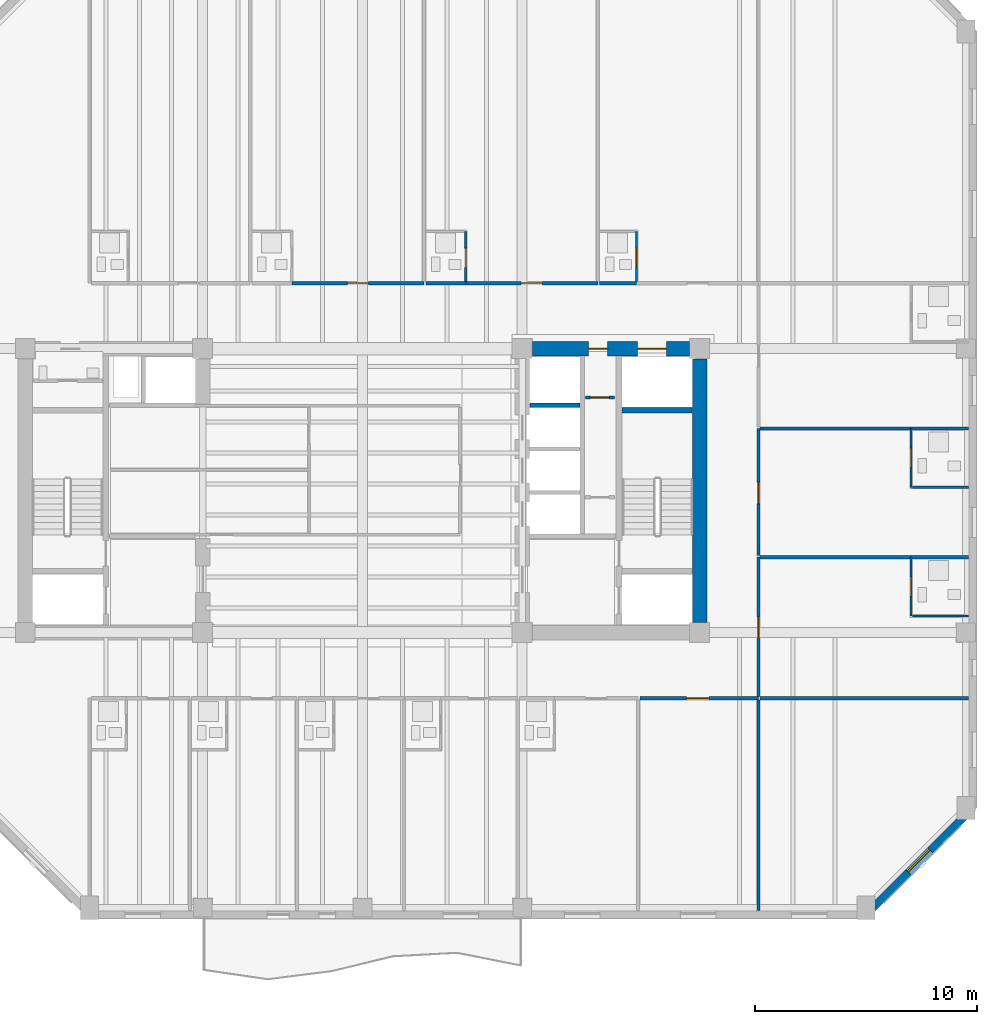
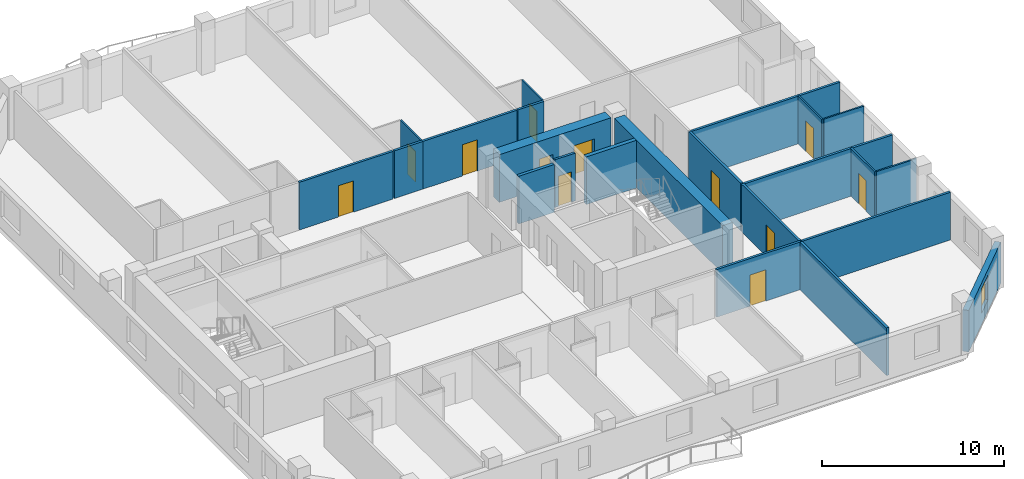
# One storey, part 5 of 11: 23 walls, 12 doors, 1 window, 13 openings.
"""IFC4 building model written with IfcOpenShell, lengths in metres."""

from ifc_helpers import new_model, si_unit, direction, frame, frame_2d, origin, place, context, subcontext, project, spatial, rectangle, extrude, material, layer, layer_set, type_object, element, fill, save


model = new_model("IFC4")

# Units and contexts
model_context = context("Model", 3, precision=1e-05, world=origin(), true_north=direction((0.0, 1.0)))
body_context = subcontext(model_context, "Body", "Model", "MODEL_VIEW")
ifc_project = project(units=[si_unit("LENGTHUNIT", "METRE"), si_unit("AREAUNIT", "SQUARE_METRE"), si_unit("VOLUMEUNIT", "CUBIC_METRE"), si_unit("PLANEANGLEUNIT", "RADIAN"), si_unit("MASSUNIT", "GRAM", prefix="KILO")], contexts=[model_context])

# Site, building, storey
site_placement = place(None, origin())
site = spatial("IfcSite", under=ifc_project, at=site_placement, CompositionType="ELEMENT")
building_placement = place(site_placement, origin())
building = spatial("IfcBuilding", under=site, at=building_placement, Name="Kranthara Brick Stack", CompositionType="ELEMENT")
storey_placement = place(building_placement, frame((0.0, 0.0, 176.300048828125)))
storey = spatial("IfcBuildingStorey", under=building, at=storey_placement, Name="L45", CompositionType="ELEMENT", Elevation=176.300048828125)

# Wall, opening, window
ifc_material_1 = material(Name="Kiln-fired clay brick masonry M15", Category="masonry")
ifc_layer_1 = layer(ifc_material_1, 0.35009765625)
ifc_layer_set_1 = layer_set([ifc_layer_1], Name="Kiln-fired clay brick masonry M15")
wall_type_1 = type_object("IfcWallType", Name="WL-BRK-SPND-350", PredefinedType="STANDARD", material=ifc_layer_set_1)
wall_1_placement = place(storey_placement, frame((55.5048828125, 12.89990234375, 0.0), z_axis=(0.0, 0.0, 1.0), x_axis=(-0.707106781187, -0.707106781187, 0.0)))
wall_1 = element("IfcWall", 1, at=wall_1_placement, inside=storey, type_object=wall_type_1, Name="L45 Exterior Brick Facade Wall SE 1", PredefinedType="STANDARD", context=body_context, shape_type="SweptSolid", body=[
    extrude(rectangle(XDim=6.795166015625, YDim=0.35009765625, at=frame_2d((3.3974609375, 0.0))), origin(), (0.0, 0.0, 1.0), 2.784912109375),
])
opening_1_placement = place(wall_1_placement, frame((2.697998046875, 0.0, 0.75)))
opening_1 = element("IfcOpeningElement", 2, at=opening_1_placement, cuts=wall_1, Name="Opening WN10", PredefinedType="OPENING", context=body_context, shape_type="SweptSolid", body=[
    extrude(rectangle(XDim=1.39990234375, YDim=1.64990234375, at=frame_2d((0.699951171875, 0.824951171875))), frame((0.0, 0.18505859375, 0.0), z_axis=(0.0, -1.0, 0.0), x_axis=(1.0, 0.0, 0.0)), (0.0, 0.0, 1.0), 0.3701171875),
])
ifc_material_2 = material(Name="Double-glazed low-E solar control glass", Category="glass")
window_type = type_object("IfcWindowType", Name="WN-CHM-1400x1750", PartitioningType="SINGLE_PANEL", PredefinedType="WINDOW", material=ifc_material_2)
window_placement = place(opening_1_placement, origin())
window = element("IfcWindow", 3, at=window_placement, inside=storey, type_object=window_type, Name="L45 SE Chamfer Corner Window", OverallHeight=1.64990234375, OverallWidth=1.39990234375, PartitioningType="SINGLE_PANEL", PredefinedType="WINDOW", context=body_context, shape_type="SweptSolid", body=[
    extrude(rectangle(XDim=1.39990234375, YDim=1.64990234375, at=frame_2d((0.699951171875, 0.824951171875))), frame((0.0, -0.010009765625, 0.0), z_axis=(0.0, -1.0, 0.0), x_axis=(1.0, 0.0, 0.0)), (0.0, 0.0, 1.0), 0.06005859375),
])
fill(opening_1, window)

# Walls
ifc_material_3 = material(Name="Concrete C50/60", Category="concrete")
ifc_layer_2 = layer(ifc_material_3, 0.25)
ifc_layer_set_2 = layer_set([ifc_layer_2], Name="Concrete C50/60")
wall_type_2 = type_object("IfcWallType", Name="WL-CORE-250", PredefinedType="SHEAR", material=ifc_layer_set_2)
wall_2_placement = place(storey_placement, frame((39.68994140625, 30.830078125, 0.0), z_axis=(0.0, 0.0, 1.0), x_axis=(1.0, 0.0, 0.0)))
element("IfcWall", 4, at=wall_2_placement, inside=storey, type_object=wall_type_2, Name="L45 East Stairwell Bearing Wall EST", PredefinedType="SHEAR", context=body_context, shape_type="SweptSolid", body=[
    extrude(rectangle(XDim=3.175048828125, YDim=0.25, at=frame_2d((1.58740234375, 0.0))), origin(), (0.0, 0.0, 1.0), 3.199951171875),
])
ifc_material_4 = material(Name="Concrete C60/75", Category="concrete")
ifc_layer_3 = layer(ifc_material_4, 0.64990234375)
ifc_layer_set_3 = layer_set([ifc_layer_3], Name="Concrete C60/75")
wall_type_3 = type_object("IfcWallType", Name="WL-CORE-650", PredefinedType="SHEAR", material=ifc_layer_set_3)
wall_3_placement = place(storey_placement, frame((43.199951171875, 21.2548828125, 0.0), z_axis=(0.0, 0.0, 1.0), x_axis=(0.0, 1.0, 0.0)))
element("IfcWall", 5, at=wall_3_placement, inside=storey, type_object=wall_type_3, Name="L45 East Core Shear Wall East", PredefinedType="SHEAR", context=body_context, shape_type="SweptSolid", body=[
    extrude(rectangle(XDim=11.89013671875, YDim=0.64990234375, at=frame_2d((5.945068359375, 0.0))), origin(), (0.0, 0.0, 1.0), 3.199951171875),
])

# Wall, openings, doors
wall_4_placement = place(storey_placement, frame((35.655029296875, 33.60009765625, 0.0), z_axis=(0.0, 0.0, 1.0), x_axis=(1.0, 0.0, 0.0)))
wall_4 = element("IfcWall", 6, at=wall_4_placement, inside=storey, type_object=wall_type_3, Name="L45 East Core Shear Wall North", PredefinedType="SHEAR", context=body_context, shape_type="SweptSolid", body=[
    extrude(rectangle(XDim=7.090087890625, YDim=0.64990234375, at=frame_2d((3.544921875, 0.0))), origin(), (0.0, 0.0, 1.0), 3.199951171875),
])
opening_2_placement = place(wall_4_placement, frame((4.7451171875, 0.0, 0.0)))
opening_2 = element("IfcOpeningElement", 7, at=opening_2_placement, cuts=wall_4, Name="Opening LD03", PredefinedType="OPENING", context=body_context, shape_type="SweptSolid", body=[
    extrude(rectangle(XDim=1.300048828125, YDim=2.14990234375, at=frame_2d((0.64990234375, 1.074951171875))), frame((0.0, 0.3349609375, 0.0), z_axis=(0.0, -1.0, 0.0), x_axis=(1.0, 0.0, 0.0)), (0.0, 0.0, 1.0), 0.669921875),
])
opening_3_placement = place(wall_4_placement, frame((2.544921875, 0.0, 0.0)))
opening_3 = element("IfcOpeningElement", 8, at=opening_3_placement, cuts=wall_4, Name="Opening D10", PredefinedType="OPENING", context=body_context, shape_type="SweptSolid", body=[
    extrude(rectangle(XDim=0.85009765625, YDim=2.02001953125, at=frame_2d((0.425048828125, 1.010009765625))), frame((0.0, 0.3349609375, 0.0), z_axis=(0.0, -1.0, 0.0), x_axis=(1.0, 0.0, 0.0)), (0.0, 0.0, 1.0), 0.669921875),
])
ifc_material_5 = material(Name="Stainless steel sliding landing door", Category="steel")
door_type_1 = type_object("IfcDoorType", Name="DR-LD-SV1300", OperationType="DOUBLE_DOOR_SLIDING", PredefinedType="DOOR", material=ifc_material_5)
door_1_placement = place(opening_2_placement, origin())
door_1 = element("IfcDoor", 9, at=door_1_placement, inside=storey, type_object=door_type_1, Name="L45 Stretcher Service Lift SV-01 Landing Door", OperationType="DOUBLE_DOOR_SLIDING", OverallHeight=2.14990234375, OverallWidth=1.300048828125, PredefinedType="DOOR", context=body_context, shape_type="SweptSolid", body=[
    extrude(rectangle(XDim=1.300048828125, YDim=2.14990234375, at=frame_2d((0.64990234375, 1.074951171875))), frame((0.0, 0.02490234375, 0.0), z_axis=(0.0, -1.0, 0.0), x_axis=(1.0, 0.0, 0.0)), (0.0, 0.0, 1.0), 0.050048828125),
])
fill(opening_2, door_1)
ifc_material_6 = material(Name="Solid-core hardwood timber leaf in steel frame", Category="steel")
door_type_2 = type_object("IfcDoorType", Name="DR-RSR-850", OperationType="NOTDEFINED", PredefinedType="DOOR", material=ifc_material_6)
door_2_placement = place(opening_3_placement, origin())
door_2 = element("IfcDoor", 10, at=door_2_placement, inside=storey, type_object=door_type_2, Name="L45 East Core Service Room Door", OperationType="SINGLE_SWING_LEFT", OverallHeight=2.02001953125, OverallWidth=0.85009765625, PredefinedType="DOOR", context=body_context, shape_type="SweptSolid", body=[
    extrude(rectangle(XDim=0.85009765625, YDim=2.02001953125, at=frame_2d((0.425048828125, 1.010009765625))), frame((0.0, 0.02490234375, 0.0), z_axis=(0.0, -1.0, 0.0), x_axis=(1.0, 0.0, 0.0)), (0.0, 0.0, 1.0), 0.050048828125),
])
fill(opening_3, door_2)

# Wall, opening, door
ifc_material_7 = material(Name="Moisture-resistant wet-room partition", Category="other")
ifc_layer_4 = layer(ifc_material_7, 0.10009765625)
ifc_layer_set_4 = layer_set([ifc_layer_4], Name="Moisture-resistant wet-room partition")
wall_type_4 = type_object("IfcWallType", Name="WL-PART-100", PredefinedType="PARTITIONING", material=ifc_layer_set_4)
wall_5_placement = place(storey_placement, frame((32.656494140625, 36.6298828125, 0.0), z_axis=(0.0, 0.0, 1.0), x_axis=(0.0, 1.0, 0.0)))
wall_5 = element("IfcWall", 11, at=wall_5_placement, inside=storey, type_object=wall_type_4, Name="L45 Interior Partition 050", PredefinedType="PARTITIONING", context=body_context, shape_type="SweptSolid", body=[
    extrude(rectangle(XDim=2.25, YDim=0.10009765625, at=frame_2d((1.125, 0.0))), origin(), (0.0, 0.0, 1.0), 3.199951171875),
])
opening_4_placement = place(wall_5_placement, frame((0.639892578125, 0.0, 0.0)))
opening_4 = element("IfcOpeningElement", 12, at=opening_4_placement, cuts=wall_5, Name="Opening D17", PredefinedType="OPENING", context=body_context, shape_type="SweptSolid", body=[
    extrude(rectangle(XDim=0.85009765625, YDim=2.050048828125, at=frame_2d((0.425048828125, 1.02490234375))), frame((0.0, 0.06005859375, 0.0), z_axis=(0.0, -1.0, 0.0), x_axis=(1.0, 0.0, 0.0)), (0.0, 0.0, 1.0), 0.1201171875),
])
ifc_material_8 = material(Name="Solid-core hardwood timber leaf in steel frame", Category="steel")
door_type_3 = type_object("IfcDoorType", Name="DR-WET-850", OperationType="NOTDEFINED", PredefinedType="DOOR", material=ifc_material_8)
door_3_placement = place(opening_4_placement, origin())
door_3 = element("IfcDoor", 13, at=door_3_placement, inside=storey, type_object=door_type_3, Name="L45 Key 09 En-Suite Door 22", OperationType="SINGLE_SWING_RIGHT", OverallHeight=2.050048828125, OverallWidth=0.85009765625, PredefinedType="DOOR", context=body_context, shape_type="SweptSolid", body=[
    extrude(rectangle(XDim=0.85009765625, YDim=2.050048828125, at=frame_2d((0.425048828125, 1.02490234375))), frame((0.0, 0.02490234375, 0.0), z_axis=(0.0, -1.0, 0.0), x_axis=(1.0, 0.0, 0.0)), (0.0, 0.0, 1.0), 0.050048828125),
])
fill(opening_4, door_3)

wall_6_placement = place(storey_placement, frame((40.3505859375, 36.6298828125, 0.0), z_axis=(0.0, 0.0, 1.0), x_axis=(0.0, 1.0, 0.0)))
wall_6 = element("IfcWall", 14, at=wall_6_placement, inside=storey, type_object=wall_type_4, Name="L45 Interior Partition 055", PredefinedType="PARTITIONING", context=body_context, shape_type="SweptSolid", body=[
    extrude(rectangle(XDim=2.25, YDim=0.10009765625, at=frame_2d((1.125, 0.0))), origin(), (0.0, 0.0, 1.0), 3.199951171875),
])
opening_5_placement = place(wall_6_placement, frame((0.639892578125, 0.0, 0.0)))
opening_5 = element("IfcOpeningElement", 15, at=opening_5_placement, cuts=wall_6, Name="Opening D17", PredefinedType="OPENING", context=body_context, shape_type="SweptSolid", body=[
    extrude(rectangle(XDim=0.85009765625, YDim=2.050048828125, at=frame_2d((0.425048828125, 1.02490234375))), frame((0.0, 0.06005859375, 0.0), z_axis=(0.0, -1.0, 0.0), x_axis=(1.0, 0.0, 0.0)), (0.0, 0.0, 1.0), 0.1201171875),
])
door_4_placement = place(opening_5_placement, origin())
door_4 = element("IfcDoor", 16, at=door_4_placement, inside=storey, type_object=door_type_3, Name="L45 Key 10 En-Suite Door 24", OperationType="SINGLE_SWING_RIGHT", OverallHeight=2.050048828125, OverallWidth=0.85009765625, PredefinedType="DOOR", context=body_context, shape_type="SweptSolid", body=[
    extrude(rectangle(XDim=0.85009765625, YDim=2.050048828125, at=frame_2d((0.425048828125, 1.02490234375))), frame((0.0, 0.02490234375, 0.0), z_axis=(0.0, -1.0, 0.0), x_axis=(1.0, 0.0, 0.0)), (0.0, 0.0, 1.0), 0.050048828125),
])
fill(opening_5, door_4)

wall_7_placement = place(storey_placement, frame((52.72998046875, 21.550048828125, 0.0), z_axis=(0.0, 0.0, 1.0), x_axis=(0.0, 1.0, 0.0)))
wall_7 = element("IfcWall", 17, at=wall_7_placement, inside=storey, type_object=wall_type_4, Name="L45 Interior Partition 061", PredefinedType="PARTITIONING", context=body_context, shape_type="SweptSolid", body=[
    extrude(rectangle(XDim=2.64990234375, YDim=0.10009765625, at=frame_2d((1.324951171875, 0.0))), origin(), (0.0, 0.0, 1.0), 3.199951171875),
])
opening_6_placement = place(wall_7_placement, frame((0.905029296875, 0.0, 0.0)))
opening_6 = element("IfcOpeningElement", 18, at=opening_6_placement, cuts=wall_7, Name="Opening D17", PredefinedType="OPENING", context=body_context, shape_type="SweptSolid", body=[
    extrude(rectangle(XDim=0.85009765625, YDim=2.050048828125, at=frame_2d((0.425048828125, 1.02490234375))), frame((0.0, 0.06005859375, 0.0), z_axis=(0.0, -1.0, 0.0), x_axis=(1.0, 0.0, 0.0)), (0.0, 0.0, 1.0), 0.1201171875),
])
door_5_placement = place(opening_6_placement, origin())
door_5 = element("IfcDoor", 19, at=door_5_placement, inside=storey, type_object=door_type_3, Name="L45 East Key 11 Bath 26", OperationType="SINGLE_SWING_RIGHT", OverallHeight=2.050048828125, OverallWidth=0.85009765625, PredefinedType="DOOR", context=body_context, shape_type="SweptSolid", body=[
    extrude(rectangle(XDim=0.85009765625, YDim=2.050048828125, at=frame_2d((0.425048828125, 1.02490234375))), frame((0.0, 0.02490234375, 0.0), z_axis=(0.0, -1.0, 0.0), x_axis=(1.0, 0.0, 0.0)), (0.0, 0.0, 1.0), 0.050048828125),
])
fill(opening_6, door_5)

# Wall
wall_8_placement = place(storey_placement, frame((52.784912109375, 21.550048828125, 0.0), z_axis=(0.0, 0.0, 1.0), x_axis=(1.0, 0.0, 0.0)))
element("IfcWall", 20, at=wall_8_placement, inside=storey, type_object=wall_type_4, Name="L45 Interior Partition 062", PredefinedType="PARTITIONING", context=body_context, shape_type="SweptSolid", body=[
    extrude(rectangle(XDim=2.5400390625, YDim=0.10009765625, at=frame_2d((1.27001953125, 0.0))), origin(), (0.0, 0.0, 1.0), 3.199951171875),
])

# Wall, opening, door
wall_9_placement = place(storey_placement, frame((52.72998046875, 27.35009765625, 0.0), z_axis=(0.0, 0.0, 1.0), x_axis=(0.0, 1.0, 0.0)))
wall_9 = element("IfcWall", 21, at=wall_9_placement, inside=storey, type_object=wall_type_4, Name="L45 Interior Partition 065", PredefinedType="PARTITIONING", context=body_context, shape_type="SweptSolid", body=[
    extrude(rectangle(XDim=2.64990234375, YDim=0.10009765625, at=frame_2d((1.324951171875, 0.0))), origin(), (0.0, 0.0, 1.0), 3.199951171875),
])
opening_7_placement = place(wall_9_placement, frame((0.905029296875, 0.0, 0.0)))
opening_7 = element("IfcOpeningElement", 22, at=opening_7_placement, cuts=wall_9, Name="Opening D17", PredefinedType="OPENING", context=body_context, shape_type="SweptSolid", body=[
    extrude(rectangle(XDim=0.85009765625, YDim=2.050048828125, at=frame_2d((0.425048828125, 1.02490234375))), frame((0.0, 0.06005859375, 0.0), z_axis=(0.0, -1.0, 0.0), x_axis=(1.0, 0.0, 0.0)), (0.0, 0.0, 1.0), 0.1201171875),
])
door_6_placement = place(opening_7_placement, origin())
door_6 = element("IfcDoor", 23, at=door_6_placement, inside=storey, type_object=door_type_3, Name="L45 East Key 12 Bath 28", OperationType="SINGLE_SWING_RIGHT", OverallHeight=2.050048828125, OverallWidth=0.85009765625, PredefinedType="DOOR", context=body_context, shape_type="SweptSolid", body=[
    extrude(rectangle(XDim=0.85009765625, YDim=2.050048828125, at=frame_2d((0.425048828125, 1.02490234375))), frame((0.0, 0.02490234375, 0.0), z_axis=(0.0, -1.0, 0.0), x_axis=(1.0, 0.0, 0.0)), (0.0, 0.0, 1.0), 0.050048828125),
])
fill(opening_7, door_6)

# Wall
wall_10_placement = place(storey_placement, frame((52.784912109375, 27.35009765625, 0.0), z_axis=(0.0, 0.0, 1.0), x_axis=(1.0, 0.0, 0.0)))
element("IfcWall", 24, at=wall_10_placement, inside=storey, type_object=wall_type_4, Name="L45 Interior Partition 066", PredefinedType="PARTITIONING", context=body_context, shape_type="SweptSolid", body=[
    extrude(rectangle(XDim=2.5400390625, YDim=0.10009765625, at=frame_2d((1.27001953125, 0.0))), origin(), (0.0, 0.0, 1.0), 3.199951171875),
])

# Wall, opening, door
ifc_material_9 = material(Name="Fire-rated gypsum board partition", Category="other")
ifc_layer_5 = layer(ifc_material_9, 0.14990234375)
ifc_layer_set_5 = layer_set([ifc_layer_5], Name="Fire-rated gypsum board partition")
wall_type_5 = type_object("IfcWallType", Name="WL-PART-150", PredefinedType="PARTITIONING", material=ifc_layer_set_5)
wall_11_placement = place(storey_placement, frame((38.050048828125, 31.39990234375, 0.0), z_axis=(0.0, 0.0, 1.0), x_axis=(1.0, 0.0, 0.0)))
wall_11 = element("IfcWall", 25, at=wall_11_placement, inside=storey, type_object=wall_type_5, Name="L45 Interior Partition 003", PredefinedType="PARTITIONING", context=body_context, shape_type="SweptSolid", body=[
    extrude(rectangle(XDim=1.300048828125, YDim=0.14990234375, at=frame_2d((0.64990234375, 0.0))), origin(), (0.0, 0.0, 1.0), 3.199951171875),
])
opening_8_placement = place(wall_11_placement, frame((0.219970703125, 0.0, 0.0)))
opening_8 = element("IfcOpeningElement", 26, at=opening_8_placement, cuts=wall_11, Name="Opening D10", PredefinedType="OPENING", context=body_context, shape_type="SweptSolid", body=[
    extrude(rectangle(XDim=0.85009765625, YDim=2.02001953125, at=frame_2d((0.425048828125, 1.010009765625))), frame((0.0, 0.0849609375, 0.0), z_axis=(0.0, -1.0, 0.0), x_axis=(1.0, 0.0, 0.0)), (0.0, 0.0, 1.0), 0.169921875),
])
door_7_placement = place(opening_8_placement, origin())
door_7 = element("IfcDoor", 27, at=door_7_placement, inside=storey, type_object=door_type_2, Name="L45 East Switch Door 03", OperationType="SINGLE_SWING_LEFT", OverallHeight=2.02001953125, OverallWidth=0.85009765625, PredefinedType="DOOR", context=body_context, shape_type="SweptSolid", body=[
    extrude(rectangle(XDim=0.85009765625, YDim=2.02001953125, at=frame_2d((0.425048828125, 1.010009765625))), frame((0.0, 0.02490234375, 0.0), z_axis=(0.0, -1.0, 0.0), x_axis=(1.0, 0.0, 0.0)), (0.0, 0.0, 1.0), 0.050048828125),
])
fill(opening_8, door_7)

wall_12_placement = place(storey_placement, frame((40.5029296875, 17.85009765625, 0.0), z_axis=(0.0, 0.0, 1.0), x_axis=(1.0, 0.0, 0.0)))
wall_12 = element("IfcWall", 28, at=wall_12_placement, inside=storey, type_object=wall_type_5, Name="L45 Interior Partition 035", PredefinedType="PARTITIONING", context=body_context, shape_type="SweptSolid", body=[
    extrude(rectangle(XDim=5.34716796875, YDim=0.14990234375, at=frame_2d((2.673583984375, 0.0))), origin(), (0.0, 0.0, 1.0), 3.199951171875),
])
opening_9_placement = place(wall_12_placement, frame((2.114013671875, 0.0, 0.0)))
opening_9 = element("IfcOpeningElement", 29, at=opening_9_placement, cuts=wall_12, Name="Opening D08", PredefinedType="OPENING", context=body_context, shape_type="SweptSolid", body=[
    extrude(rectangle(XDim=1.0, YDim=2.10009765625, at=frame_2d((0.5, 1.050048828125))), frame((0.0, 0.0849609375, 0.0), z_axis=(0.0, -1.0, 0.0), x_axis=(1.0, 0.0, 0.0)), (0.0, 0.0, 1.0), 0.169921875),
])
ifc_material_10 = material(Name="Solid-core hardwood timber leaf in steel frame", Category="steel")
door_type_4 = type_object("IfcDoorType", Name="DR-FD-1000", OperationType="NOTDEFINED", PredefinedType="DOOR", material=ifc_material_10)
door_8_placement = place(opening_9_placement, origin())
door_8 = element("IfcDoor", 30, at=door_8_placement, inside=storey, type_object=door_type_4, Name="L45 Guest Lounge 17", OperationType="SINGLE_SWING_LEFT", OverallHeight=2.10009765625, OverallWidth=1.0, PredefinedType="DOOR", context=body_context, shape_type="SweptSolid", body=[
    extrude(rectangle(XDim=1.0, YDim=2.10009765625, at=frame_2d((0.5, 1.050048828125))), frame((0.0, 0.02490234375, 0.0), z_axis=(0.0, -1.0, 0.0), x_axis=(1.0, 0.0, 0.0)), (0.0, 0.0, 1.0), 0.050048828125),
])
fill(opening_9, door_8)

# Wall
wall_13_placement = place(storey_placement, frame((45.85009765625, 8.27490234375, 0.0), z_axis=(0.0, 0.0, 1.0), x_axis=(0.0, 1.0, 0.0)))
element("IfcWall", 31, at=wall_13_placement, inside=storey, type_object=wall_type_5, Name="L45 Interior Partition 036", PredefinedType="PARTITIONING", context=body_context, shape_type="SweptSolid", body=[
    extrude(rectangle(XDim=9.4951171875, YDim=0.14990234375, at=frame_2d((4.74755859375, 0.0))), origin(), (0.0, 0.0, 1.0), 3.199951171875),
])

# Wall, opening, door
wall_14_placement = place(storey_placement, frame((24.8173828125, 36.550048828125, 0.0), z_axis=(0.0, 0.0, 1.0), x_axis=(1.0, 0.0, 0.0)))
wall_14 = element("IfcWall", 32, at=wall_14_placement, inside=storey, type_object=wall_type_5, Name="L45 Interior Partition 044", PredefinedType="PARTITIONING", context=body_context, shape_type="SweptSolid", body=[
    extrude(rectangle(XDim=5.95751953125, YDim=0.14990234375, at=frame_2d((2.978759765625, 0.0))), origin(), (0.0, 0.0, 1.0), 3.199951171875),
])
opening_10_placement = place(wall_14_placement, frame((2.4990234375, 0.0, 0.0)))
opening_10 = element("IfcOpeningElement", 33, at=opening_10_placement, cuts=wall_14, Name="Opening D09", PredefinedType="OPENING", context=body_context, shape_type="SweptSolid", body=[
    extrude(rectangle(XDim=0.949951171875, YDim=2.10009765625, at=frame_2d((0.47509765625, 1.050048828125))), frame((0.0, 0.0849609375, 0.0), z_axis=(0.0, -1.0, 0.0), x_axis=(1.0, 0.0, 0.0)), (0.0, 0.0, 1.0), 0.169921875),
])
ifc_material_11 = material(Name="Solid-core hardwood timber leaf in steel frame", Category="steel")
door_type_5 = type_object("IfcDoorType", Name="DR-FD-950", OperationType="NOTDEFINED", PredefinedType="DOOR", material=ifc_material_11)
door_9_placement = place(opening_10_placement, origin())
door_9 = element("IfcDoor", 34, at=door_9_placement, inside=storey, type_object=door_type_5, Name="L45 Key 08 Entry 21", OperationType="SINGLE_SWING_LEFT", OverallHeight=2.10009765625, OverallWidth=0.949951171875, PredefinedType="DOOR", context=body_context, shape_type="SweptSolid", body=[
    extrude(rectangle(XDim=0.949951171875, YDim=2.10009765625, at=frame_2d((0.47509765625, 1.050048828125))), frame((0.0, 0.02490234375, 0.0), z_axis=(0.0, -1.0, 0.0), x_axis=(1.0, 0.0, 0.0)), (0.0, 0.0, 1.0), 0.050048828125),
])
fill(opening_10, door_9)

# Wall
wall_15_placement = place(storey_placement, frame((30.85498046875, 36.550048828125, 0.0), z_axis=(0.0, 0.0, 1.0), x_axis=(1.0, 0.0, 0.0)))
element("IfcWall", 35, at=wall_15_placement, inside=storey, type_object=wall_type_5, Name="L45 Interior Partition 048", PredefinedType="PARTITIONING", context=body_context, shape_type="SweptSolid", body=[
    extrude(rectangle(XDim=1.801513671875, YDim=0.14990234375, at=frame_2d((0.90087890625, 0.0))), origin(), (0.0, 0.0, 1.0), 3.199951171875),
])

# Wall, opening, door
wall_16_placement = place(storey_placement, frame((32.656494140625, 36.550048828125, 0.0), z_axis=(0.0, 0.0, 1.0), x_axis=(1.0, 0.0, 0.0)))
wall_16 = element("IfcWall", 36, at=wall_16_placement, inside=storey, type_object=wall_type_5, Name="L45 Interior Partition 049", PredefinedType="PARTITIONING", context=body_context, shape_type="SweptSolid", body=[
    extrude(rectangle(XDim=5.95751953125, YDim=0.14990234375, at=frame_2d((2.978759765625, 0.0))), origin(), (0.0, 0.0, 1.0), 3.199951171875),
])
opening_11_placement = place(wall_16_placement, frame((2.4990234375, 0.0, 0.0)))
opening_11 = element("IfcOpeningElement", 37, at=opening_11_placement, cuts=wall_16, Name="Opening D09", PredefinedType="OPENING", context=body_context, shape_type="SweptSolid", body=[
    extrude(rectangle(XDim=0.949951171875, YDim=2.10009765625, at=frame_2d((0.47509765625, 1.050048828125))), frame((0.0, 0.0849609375, 0.0), z_axis=(0.0, -1.0, 0.0), x_axis=(1.0, 0.0, 0.0)), (0.0, 0.0, 1.0), 0.169921875),
])
door_10_placement = place(opening_11_placement, origin())
door_10 = element("IfcDoor", 38, at=door_10_placement, inside=storey, type_object=door_type_5, Name="L45 Key 09 Entry 23", OperationType="SINGLE_SWING_LEFT", OverallHeight=2.10009765625, OverallWidth=0.949951171875, PredefinedType="DOOR", context=body_context, shape_type="SweptSolid", body=[
    extrude(rectangle(XDim=0.949951171875, YDim=2.10009765625, at=frame_2d((0.47509765625, 1.050048828125))), frame((0.0, 0.02490234375, 0.0), z_axis=(0.0, -1.0, 0.0), x_axis=(1.0, 0.0, 0.0)), (0.0, 0.0, 1.0), 0.050048828125),
])
fill(opening_11, door_10)

# Walls
wall_17_placement = place(storey_placement, frame((38.694091796875, 36.550048828125, 0.0), z_axis=(0.0, 0.0, 1.0), x_axis=(1.0, 0.0, 0.0)))
element("IfcWall", 39, at=wall_17_placement, inside=storey, type_object=wall_type_5, Name="L45 Interior Partition 053", PredefinedType="PARTITIONING", context=body_context, shape_type="SweptSolid", body=[
    extrude(rectangle(XDim=1.656494140625, YDim=0.14990234375, at=frame_2d((0.828125, 0.0))), origin(), (0.0, 0.0, 1.0), 3.199951171875),
])
wall_18_placement = place(storey_placement, frame((45.929931640625, 17.85009765625, 0.0), z_axis=(0.0, 0.0, 1.0), x_axis=(1.0, 0.0, 0.0)))
element("IfcWall", 40, at=wall_18_placement, inside=storey, type_object=wall_type_5, Name="L45 Interior Partition 058", PredefinedType="PARTITIONING", context=body_context, shape_type="SweptSolid", body=[
    extrude(rectangle(XDim=9.39501953125, YDim=0.14990234375, at=frame_2d((4.697509765625, 0.0))), origin(), (0.0, 0.0, 1.0), 3.199951171875),
])

# Wall, opening, door
wall_19_placement = place(storey_placement, frame((45.85009765625, 17.929931640625, 0.0), z_axis=(0.0, 0.0, 1.0), x_axis=(0.0, 1.0, 0.0)))
wall_19 = element("IfcWall", 41, at=wall_19_placement, inside=storey, type_object=wall_type_5, Name="L45 Interior Partition 060", PredefinedType="PARTITIONING", context=body_context, shape_type="SweptSolid", body=[
    extrude(rectangle(XDim=6.27001953125, YDim=0.14990234375, at=frame_2d((3.135009765625, 0.0))), origin(), (0.0, 0.0, 1.0), 3.199951171875),
])
opening_12_placement = place(wall_19_placement, frame((2.614990234375, 0.0, 0.0)))
opening_12 = element("IfcOpeningElement", 42, at=opening_12_placement, cuts=wall_19, Name="Opening D09", PredefinedType="OPENING", context=body_context, shape_type="SweptSolid", body=[
    extrude(rectangle(XDim=0.949951171875, YDim=2.10009765625, at=frame_2d((0.47509765625, 1.050048828125))), frame((0.0, 0.0849609375, 0.0), z_axis=(0.0, -1.0, 0.0), x_axis=(1.0, 0.0, 0.0)), (0.0, 0.0, 1.0), 0.169921875),
])
door_11_placement = place(opening_12_placement, origin())
door_11 = element("IfcDoor", 43, at=door_11_placement, inside=storey, type_object=door_type_5, Name="L45 East Key 11 27", OperationType="SINGLE_SWING_LEFT", OverallHeight=2.10009765625, OverallWidth=0.949951171875, PredefinedType="DOOR", context=body_context, shape_type="SweptSolid", body=[
    extrude(rectangle(XDim=0.949951171875, YDim=2.10009765625, at=frame_2d((0.47509765625, 1.050048828125))), frame((0.0, 0.02490234375, 0.0), z_axis=(0.0, -1.0, 0.0), x_axis=(1.0, 0.0, 0.0)), (0.0, 0.0, 1.0), 0.050048828125),
])
fill(opening_12, door_11)

# Wall
wall_20_placement = place(storey_placement, frame((45.929931640625, 24.199951171875, 0.0), z_axis=(0.0, 0.0, 1.0), x_axis=(1.0, 0.0, 0.0)))
element("IfcWall", 44, at=wall_20_placement, inside=storey, type_object=wall_type_5, Name="L45 Interior Partition 063", PredefinedType="PARTITIONING", context=body_context, shape_type="SweptSolid", body=[
    extrude(rectangle(XDim=9.39501953125, YDim=0.14990234375, at=frame_2d((4.697509765625, 0.0))), origin(), (0.0, 0.0, 1.0), 3.199951171875),
])

# Wall, opening, door
wall_21_placement = place(storey_placement, frame((45.85009765625, 24.280029296875, 0.0), z_axis=(0.0, 0.0, 1.0), x_axis=(0.0, 1.0, 0.0)))
wall_21 = element("IfcWall", 45, at=wall_21_placement, inside=storey, type_object=wall_type_5, Name="L45 Interior Partition 064", PredefinedType="PARTITIONING", context=body_context, shape_type="SweptSolid", body=[
    extrude(rectangle(XDim=5.719970703125, YDim=0.14990234375, at=frame_2d((2.85986328125, 0.0))), origin(), (0.0, 0.0, 1.0), 3.199951171875),
])
opening_13_placement = place(wall_21_placement, frame((2.340087890625, 0.0, 0.0)))
opening_13 = element("IfcOpeningElement", 46, at=opening_13_placement, cuts=wall_21, Name="Opening D09", PredefinedType="OPENING", context=body_context, shape_type="SweptSolid", body=[
    extrude(rectangle(XDim=0.949951171875, YDim=2.10009765625, at=frame_2d((0.47509765625, 1.050048828125))), frame((0.0, 0.0849609375, 0.0), z_axis=(0.0, -1.0, 0.0), x_axis=(1.0, 0.0, 0.0)), (0.0, 0.0, 1.0), 0.169921875),
])
door_12_placement = place(opening_13_placement, origin())
door_12 = element("IfcDoor", 47, at=door_12_placement, inside=storey, type_object=door_type_5, Name="L45 East Key 12 29", OperationType="SINGLE_SWING_LEFT", OverallHeight=2.10009765625, OverallWidth=0.949951171875, PredefinedType="DOOR", context=body_context, shape_type="SweptSolid", body=[
    extrude(rectangle(XDim=0.949951171875, YDim=2.10009765625, at=frame_2d((0.47509765625, 1.050048828125))), frame((0.0, 0.02490234375, 0.0), z_axis=(0.0, -1.0, 0.0), x_axis=(1.0, 0.0, 0.0)), (0.0, 0.0, 1.0), 0.050048828125),
])
fill(opening_13, door_12)

# Walls
wall_22_placement = place(storey_placement, frame((45.929931640625, 30.0, 0.0), z_axis=(0.0, 0.0, 1.0), x_axis=(1.0, 0.0, 0.0)))
element("IfcWall", 48, at=wall_22_placement, inside=storey, type_object=wall_type_5, Name="L45 Interior Partition 067", PredefinedType="PARTITIONING", context=body_context, shape_type="SweptSolid", body=[
    extrude(rectangle(XDim=9.39501953125, YDim=0.14990234375, at=frame_2d((4.697509765625, 0.0))), origin(), (0.0, 0.0, 1.0), 3.199951171875),
])
ifc_material_12 = material(Name="Concrete C40/50", Category="concrete")
ifc_layer_6 = layer(ifc_material_12, 0.199951171875)
ifc_layer_set_6 = layer_set([ifc_layer_6], Name="Concrete C40/50")
wall_type_6 = type_object("IfcWallType", Name="WL-PART-200", PredefinedType="SOLIDWALL", material=ifc_layer_set_6)
wall_23_placement = place(storey_placement, frame((35.550048828125, 31.050048828125, 0.0), z_axis=(0.0, 0.0, 1.0), x_axis=(1.0, 0.0, 0.0)))
element("IfcWall", 49, at=wall_23_placement, inside=storey, type_object=wall_type_6, Name="L45 East Core Cross Wall EE4", PredefinedType="SOLIDWALL", context=body_context, shape_type="SweptSolid", body=[
    extrude(rectangle(XDim=2.25, YDim=0.199951171875, at=frame_2d((1.125, 0.0))), origin(), (0.0, 0.0, 1.0), 3.199951171875),
])

save(model, "model.ifc")
